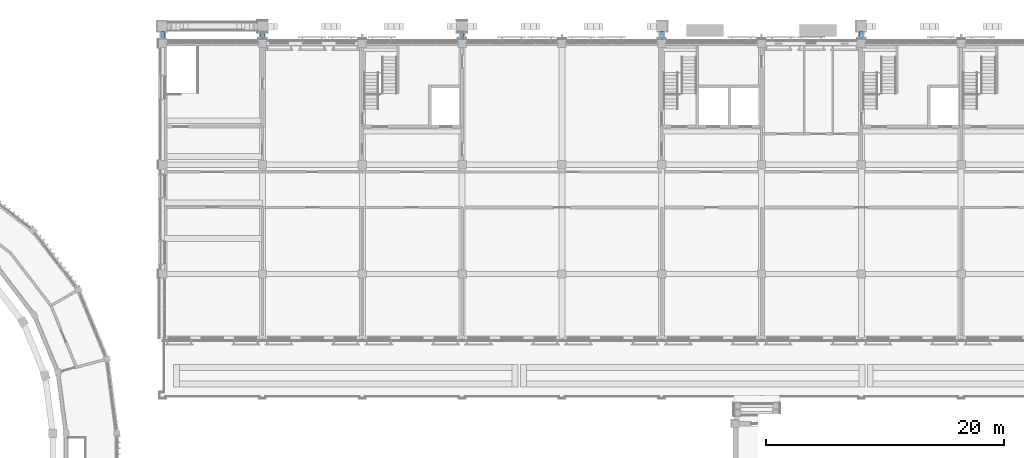
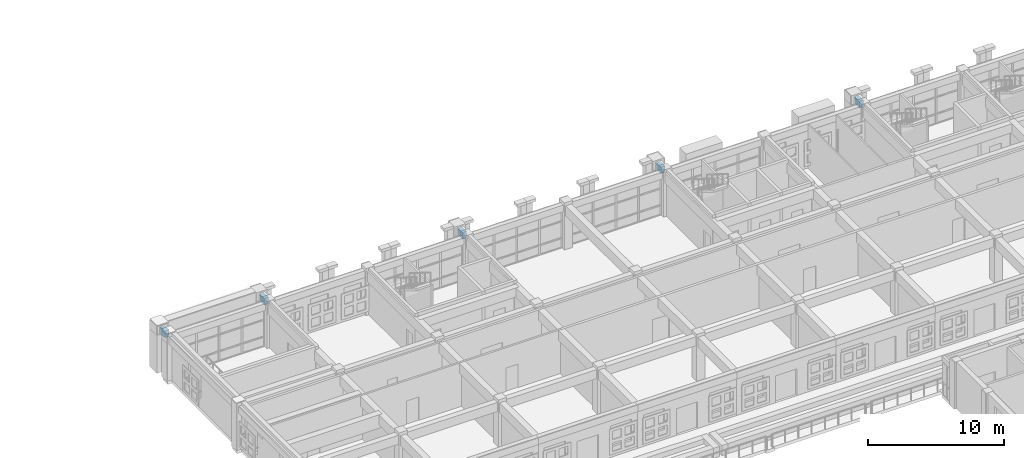
# One storey, part 37 of 99: 5 beams.
"""IFC4 building model written with IfcOpenShell, lengths in metres."""

from ifc_helpers import new_model, si_unit, direction, frame, origin, origin_2d, place, context, subcontext, project, spatial, rectangle, extrude, material, material_profile, profile_set, type_object, element, save


model = new_model("IFC4")

# Units and contexts
model_context = context("Model", 3, precision=1e-05, world=origin(), true_north=direction((0.0, 1.0)))
body_context = subcontext(model_context, "Body", "Model", "MODEL_VIEW")
ifc_project = project(units=[si_unit("LENGTHUNIT", "METRE"), si_unit("AREAUNIT", "SQUARE_METRE"), si_unit("VOLUMEUNIT", "CUBIC_METRE"), si_unit("PLANEANGLEUNIT", "RADIAN"), si_unit("MASSUNIT", "GRAM", prefix="KILO")], contexts=[model_context])

# Site, building, storey
site_placement = place(None, origin())
site = spatial("IfcSite", under=ifc_project, at=site_placement, CompositionType="ELEMENT")
building_placement = place(site_placement, origin())
building = spatial("IfcBuilding", under=site, at=building_placement, Name="Wasatch Bagh Community Centre", CompositionType="ELEMENT")
storey_placement = place(building_placement, frame((0.0, 0.0, 4.199951171875)))
storey = spatial("IfcBuildingStorey", under=building, at=storey_placement, Name="L01", CompositionType="ELEMENT", Elevation=4.199951171875)

# Beams
ifc_material = material(Name="Concrete C35", Category="concrete")
ifc_material_profile = material_profile(ifc_material, rectangle(XDim=0.35009765625, YDim=0.60009765625, at=origin_2d()), Name="RC 350x600")
ifc_profile_set = profile_set([ifc_material_profile], Name="Concrete C35")
beam_type = type_object("IfcBeamType", Name="CL-B4", PredefinedType="BEAM", material=ifc_profile_set)
for number, where, z_axis, x_axis, name in (
    (1, (64.0, 98.14990234375, 3.699951171875), (0.0, 1.0, 0.0), (-1.0, 0.0, 0.0), "CL-B4 tie LWP01.2"),
    (2, (72.39990234375, 98.14990234375, 3.699951171875), (0.0, 1.0, 0.0), (-1.0, 0.0, 0.0), "CL-B4 tie LWP02.2"),
    (3, (89.199951171875, 98.14990234375, 3.699951171875), (0.0, 1.0, 0.0), (-1.0, 0.0, 0.0), "CL-B4 tie LWP03.2"),
    (4, (106.0, 98.14990234375, 3.699951171875), (0.0, 1.0, 0.0), (-1.0, 0.0, 0.0), "CL-B4 tie LWP04.2"),
    (5, (122.800048828125, 98.14990234375, 3.699951171875), (0.0, 1.0, 0.0), (-1.0, 0.0, 0.0), "CL-B4 tie LWP05.2"),
):
    element("IfcBeam", number, at=place(storey_placement, frame(where, z_axis=z_axis, x_axis=x_axis)), inside=storey, type_object=beam_type, Name=name, PredefinedType="BEAM", context=body_context, shape_type="SweptSolid", body=[
        extrude(rectangle(XDim=0.35009765625, YDim=0.60009765625, at=origin_2d()), origin(), (0.0, 0.0, 1.0), 0.650146484375),
    ])

save(model, "model.ifc")
